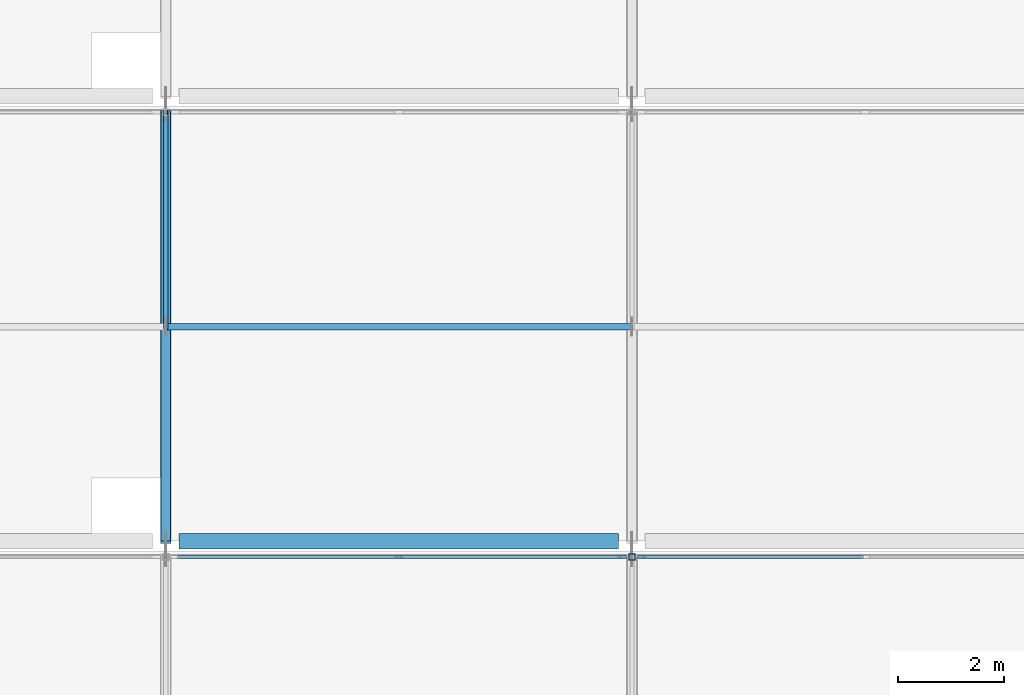
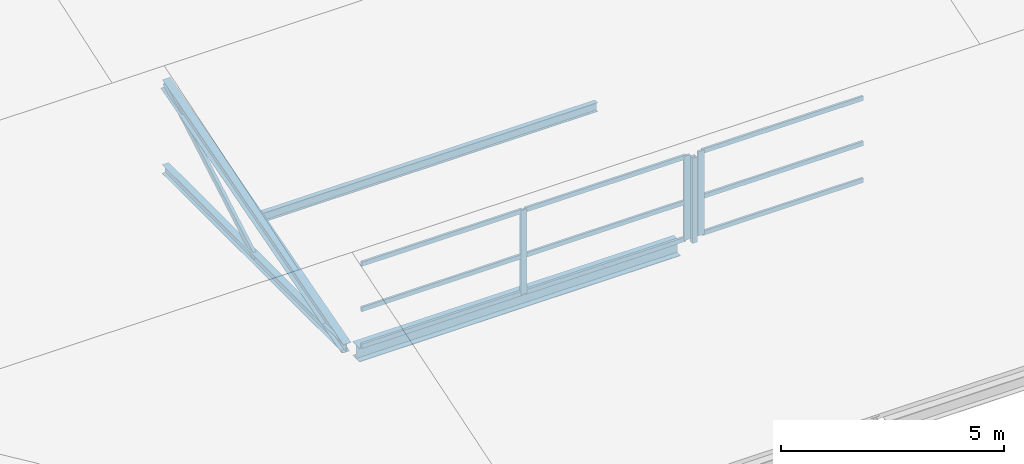
# One storey, part 6 of 40: 17 members, 1 beam, 2 elements without a shape of their own.
"""IFC4 building model written with IfcOpenShell, lengths in metres."""

import ifcopenshell
import ifcopenshell.guid

model = None  # the IFC model being written
_history = None  # IfcOwnerHistory: only IFC2X3 demands one
_inside = {}  # id of a spatial element -> (the spatial element, [elements in it])
_under = {}  # id of a project, library or spatial element -> (it, [spatial elements below it])
_declared = {}  # id of a project -> (the project, [libraries it declares])
_typed = {}  # id of a type object -> (the type object, [elements of that type])
_made_of = {}  # id of a material, layer set ... -> (it, [elements and type objects made of it])


def new_model(schema):
    """Start an empty IFC model of exactly this schema.

    Asked for "IFC4X3", IfcOpenShell would pick the latest addendum, in which some entities
    have other attributes; the version numbers below select the first issue.
    IFC2X3 requires an IfcOwnerHistory on every rooted entity: one is made here for all.
    """
    global model, _history
    if schema == "IFC4X3":
        model = ifcopenshell.file(schema_version=(4, 3, 0, 0))
    else:
        model = ifcopenshell.file(schema=schema)
    _inside.clear()
    _under.clear()
    _declared.clear()
    _typed.clear()
    _made_of.clear()
    _history = None
    if model.schema == "IFC2X3":
        org = make("IfcOrganization", Name="unknown")
        user = make(
            "IfcPersonAndOrganization",
            ThePerson=make("IfcPerson", FamilyName="unknown"),
            TheOrganization=org,
        )
        app = make(
            "IfcApplication",
            ApplicationDeveloper=org,
            Version="unknown",
            ApplicationFullName="unknown",
            ApplicationIdentifier="unknown",
        )
        _history = make(
            "IfcOwnerHistory",
            OwningUser=user,
            OwningApplication=app,
            ChangeAction="ADDED",
            CreationDate=0,
        )
    return model


def make(cls, **values):
    """One entity of the class cls with the attributes given. An attribute that is None is left unset."""
    return model.create_entity(
        cls, **{name: value for name, value in values.items() if value is not None}
    )


def rooted(cls, **values):
    """An entity with a GlobalId (a new one), such as an element, a storey or a relation."""
    return make(cls, GlobalId=ifcopenshell.guid.new(), OwnerHistory=_history, **values)


def si_unit(unit_type, name, prefix=None):
    """IfcSIUnit, for example si_unit("LENGTHUNIT", "METRE", prefix="MILLI")."""
    return make("IfcSIUnit", UnitType=unit_type, Prefix=prefix, Name=name)


def assignment(units):
    """IfcUnitAssignment: the units of a project."""
    return None if units is None else make("IfcUnitAssignment", Units=units)


def point(xyz):
    """IfcCartesianPoint."""
    return None if xyz is None else make("IfcCartesianPoint", Coordinates=xyz)


def direction(xyz):
    """IfcDirection."""
    return None if xyz is None else make("IfcDirection", DirectionRatios=xyz)


def frame(location, z_axis=None, x_axis=None):
    """IfcAxis2Placement3D, a coordinate frame: its origin and axes. An axis left out is left unset."""
    return make(
        "IfcAxis2Placement3D",
        Location=point(location),
        Axis=direction(z_axis),
        RefDirection=direction(x_axis),
    )


def frame_2d(location, x_axis=None):
    """IfcAxis2Placement2D, a coordinate frame in the plane: its origin and x axis."""
    return make(
        "IfcAxis2Placement2D", Location=point(location), RefDirection=direction(x_axis)
    )


def origin():
    """The frame at (0, 0, 0) with its axes left unset."""
    return frame((0.0, 0.0, 0.0))


def origin_2d():
    """The frame at (0, 0) in the plane with its x axis left unset."""
    return frame_2d((0.0, 0.0))


def place(relative_to, where):
    """IfcLocalPlacement: puts the frame where relative to a parent placement (None: the world)."""
    return make(
        "IfcLocalPlacement", PlacementRelTo=relative_to, RelativePlacement=where
    )


def context(
    kind, dimensions, precision=None, world=None, true_north=None, identifier=None
):
    """IfcGeometricRepresentationContext, for example the 3D "Model" context."""
    return make(
        "IfcGeometricRepresentationContext",
        ContextIdentifier=identifier,
        ContextType=kind,
        CoordinateSpaceDimension=dimensions,
        Precision=precision,
        WorldCoordinateSystem=world,
        TrueNorth=true_north,
    )


def subcontext(parent, identifier, kind, view, scale=None):
    """IfcGeometricRepresentationSubContext, for example "Body" below "Model"."""
    return make(
        "IfcGeometricRepresentationSubContext",
        ContextIdentifier=identifier,
        ContextType=kind,
        ParentContext=parent,
        TargetScale=scale,
        TargetView=view,
    )


def project(units=None, contexts=None):
    """IfcProject with its units and contexts."""
    return rooted(
        "IfcProject",
        Name="project",
        RepresentationContexts=contexts,
        UnitsInContext=assignment(units),
    )


def spatial(cls, under=None, at=None, **own):
    """A site, building, storey or space (cls), placed at a placement, below another one or the project."""
    s = rooted(cls, ObjectPlacement=at, **own)
    if under is not None:
        _under.setdefault(under.id(), (under, []))[1].append(s)
    return s


def profile(cls, at=None, kind="AREA", **sizes):
    """A parametric profile (cls). Its sizes go by their IFC names, for example OverallWidth=200.0."""
    return make(cls, ProfileType=kind, Position=at, **sizes)


def rectangle(**sizes):
    """IfcRectangleProfileDef."""
    return profile("IfcRectangleProfileDef", **sizes)


def hollow_rectangle(**sizes):
    """IfcRectangleHollowProfileDef."""
    return profile("IfcRectangleHollowProfileDef", **sizes)


def i_section(**sizes):
    """IfcIShapeProfileDef."""
    return profile("IfcIShapeProfileDef", **sizes)


def extrude(swept, where, along, depth):
    """IfcExtrudedAreaSolid: the profile swept, set in the frame where, extruded along a direction by depth."""
    return make(
        "IfcExtrudedAreaSolid",
        SweptArea=swept,
        Position=where,
        ExtrudedDirection=direction(along),
        Depth=depth,
    )


def shape(context_of_items, identifier, shape_type, items):
    """IfcShapeRepresentation: the items that make up one representation, for example the "Body"."""
    return make(
        "IfcShapeRepresentation",
        ContextOfItems=context_of_items,
        RepresentationIdentifier=identifier,
        RepresentationType=shape_type,
        Items=items,
    )


def material(Name=None, Category=None):
    """IfcMaterial."""
    return make("IfcMaterial", Name=Name, Category=Category)


def material_profile(
    of_material, cross_section, Name=None, Category=None, Priority=None
):
    """IfcMaterialProfile: a cross section and its material."""
    return make(
        "IfcMaterialProfile",
        Name=Name,
        Material=of_material,
        Profile=cross_section,
        Priority=Priority,
        Category=Category,
    )


def profile_set(profiles, Name=None, composite=None):
    """IfcMaterialProfileSet."""
    return make(
        "IfcMaterialProfileSet",
        Name=Name,
        MaterialProfiles=profiles,
        CompositeProfile=composite,
    )


def made_of(thing, what):
    """Note that an element or type object is made of a material, layer set ...; save() writes the relation."""
    if what is not None:
        _made_of.setdefault(what.id(), (what, []))[1].append(thing)
    return thing


def type_object(cls, material=None, **own):
    """A type object (cls), such as IfcWallType, which elements share."""
    return made_of(rooted(cls, **own), material)


def element(
    cls,
    number,
    at=None,
    inside=None,
    cuts=None,
    type_object=None,
    material=None,
    context=None,
    identifier="Body",
    shape_type=None,
    held_by="IfcProductDefinitionShape",
    body=None,
    shapes=None,
    **own,
):
    """One element of the class cls, such as IfcWall. Its Tag is "e" and its number.

    at: its placement. inside: the storey or other place that contains it. cuts: it is an
    opening in that element (IfcRelVoidsElement). A single representation is given by context,
    identifier, shape_type and body (its items); several are given by shapes. held_by: the class
    of the entity that holds the representations. save() writes the other relations.
    """
    e = rooted(cls, Tag="e%d" % number, ObjectPlacement=at, **own)
    if body is not None:
        shapes = [shape(context, identifier, shape_type, body)]
    if shapes is not None:
        e.Representation = make(held_by, Representations=shapes)
    if inside is not None:
        _inside.setdefault(inside.id(), (inside, []))[1].append(e)
    if cuts is not None:
        rooted(
            "IfcRelVoidsElement", RelatingBuildingElement=cuts, RelatedOpeningElement=e
        )
    if type_object is not None:
        _typed.setdefault(type_object.id(), (type_object, []))[1].append(e)
    return made_of(e, material)


def aggregate(whole, parts):
    """IfcRelAggregates: a whole, such as a stair, and the parts it consists of."""
    return rooted("IfcRelAggregates", RelatingObject=whole, RelatedObjects=parts)


def save(model, path):
    """Write the relations noted so far, then the file.

    IfcRelAggregates (storeys below a building ...), IfcRelContainedInSpatialStructure (elements
    in a storey), IfcRelDefinesByType, IfcRelAssociatesMaterial and IfcRelDeclares: one each for
    every whole, place, type object, material and project.
    """
    for whole, parts in _under.values():
        aggregate(whole, parts)
    for where, things in _inside.values():
        rooted(
            "IfcRelContainedInSpatialStructure",
            RelatedElements=things,
            RelatingStructure=where,
        )
    for kind, things in _typed.values():
        rooted("IfcRelDefinesByType", RelatedObjects=things, RelatingType=kind)
    for what, things in _made_of.values():
        rooted("IfcRelAssociatesMaterial", RelatedObjects=things, RelatingMaterial=what)
    for by, libraries in _declared.values():
        rooted("IfcRelDeclares", RelatingContext=by, RelatedDefinitions=libraries)
    model.write(path)


model = new_model("IFC4")

# Units and contexts
model_context = context("Model", 3, precision=1e-05, world=origin(), true_north=direction((0.0, 1.0)))
body_context = subcontext(model_context, "Body", "Model", "MODEL_VIEW")
ifc_project = project(units=[si_unit("LENGTHUNIT", "METRE"), si_unit("AREAUNIT", "SQUARE_METRE"), si_unit("VOLUMEUNIT", "CUBIC_METRE"), si_unit("PLANEANGLEUNIT", "RADIAN"), si_unit("MASSUNIT", "GRAM", prefix="KILO")], contexts=[model_context])

# Site, building, storey
site_placement = place(None, origin())
site = spatial("IfcSite", under=ifc_project, at=site_placement, CompositionType="ELEMENT")
building_placement = place(site_placement, origin())
building = spatial("IfcBuilding", under=site, at=building_placement, Name="Brinegate Botanical Conservatory", CompositionType="ELEMENT")
storey_placement = place(building_placement, frame((0.0, 0.0, 19.199951171875)))
storey = spatial("IfcBuildingStorey", under=building, at=storey_placement, Name="L05", CompositionType="ELEMENT", Elevation=19.199951171875)

# Beam
ifc_material_1 = material(Name="Structural steel Q355B / S355", Category="steel")
ifc_material_profile_1 = material_profile(ifc_material_1, i_section(OverallWidth=0.300048828125, OverallDepth=0.389892578125, WebThickness=0.010009765625, FlangeThickness=0.01611328125, at=origin_2d()), Name="HM 390x300x10x16")
ifc_profile_set_1 = profile_set([ifc_material_profile_1], Name="Structural steel Q355B / S355")
beam_type = type_object("IfcBeamType", Name="Beam_BM-S5", PredefinedType="BEAM", material=ifc_profile_set_1)
beam_placement = place(storey_placement, frame((68.64990234375, 95.199951171875, -0.179931640625), z_axis=(1.0, 0.0, 0.0), x_axis=(0.0, 1.0, 0.0)))
element("IfcBeam", 1, at=beam_placement, inside=storey, type_object=beam_type, Name="Sawtooth valley girder BM-S5 B2.3", PredefinedType="BEAM", context=body_context, shape_type="SweptSolid", body=[
    extrude(i_section(OverallWidth=0.300048828125, OverallDepth=0.389892578125, WebThickness=0.010009765625, FlangeThickness=0.01611328125, at=origin_2d()), origin(), (0.0, 0.0, 1.0), 8.300048828125),
])

# Curtain wall, members
ifc_material_2 = material(Name="Thermally broken anodised aluminium AW-6063-T6", Category="aluminium")
curtain_wall_type = type_object("IfcCurtainWallType", Name="CW_CW-SAW", PredefinedType="USERDEFINED", material=ifc_material_2)
curtain_wall_1_placement = place(storey_placement, origin())
curtain_wall_1 = element("IfcCurtainWall", 2, at=curtain_wall_1_placement, inside=storey, type_object=curtain_wall_type, Name="Sawtooth north-light clerestory B1.3", ObjectType="FACTORY CURTAIN WALL", PredefinedType="USERDEFINED")
ifc_material_profile_2 = material_profile(ifc_material_2, rectangle(XDim=0.06005859375, YDim=0.159912109375, at=origin_2d()), Name="ALUM MULLION 60x160")
ifc_profile_set_2 = profile_set([ifc_material_profile_2], Name="Thermally broken anodised aluminium AW-6063-T6")
member_type_1 = type_object("IfcMemberType", Name="Member_ML-01", PredefinedType="MULLION", material=ifc_profile_set_2)
member_1_placement = place(storey_placement, frame((72.800048828125, 94.89990234375, 0.150146484375), z_axis=(0.0, 0.0, 1.0), x_axis=(0.0, 1.0, 0.0)))
member_1 = element("IfcMember", 3, at=member_1_placement, type_object=member_type_1, Name="CW-SAW mullion 2", PredefinedType="MULLION", context=body_context, shape_type="SweptSolid", body=[
    extrude(rectangle(XDim=0.06005859375, YDim=0.159912109375, at=origin_2d()), origin(), (0.0, 0.0, 1.0), 2.2998046875),
])
member_2_placement = place(storey_placement, frame((77.02001953125, 94.89990234375, 0.150146484375), z_axis=(0.0, 0.0, 1.0), x_axis=(0.0, 1.0, 0.0)))
member_2 = element("IfcMember", 4, at=member_2_placement, type_object=member_type_1, Name="CW-SAW mullion 3", PredefinedType="MULLION", context=body_context, shape_type="SweptSolid", body=[
    extrude(rectangle(XDim=0.06005859375, YDim=0.159912109375, at=origin_2d()), origin(), (0.0, 0.0, 1.0), 2.2998046875),
])

# Curtain wall, member
curtain_wall_2_placement = place(storey_placement, origin())
curtain_wall_2 = element("IfcCurtainWall", 5, at=curtain_wall_2_placement, inside=storey, type_object=curtain_wall_type, Name="Sawtooth north-light clerestory B1.4", ObjectType="FACTORY CURTAIN WALL", PredefinedType="USERDEFINED")
member_3_placement = place(storey_placement, frame((77.3798828125, 94.89990234375, 0.150146484375), z_axis=(0.0, 0.0, 1.0), x_axis=(0.0, 1.0, 0.0)))
member_3 = element("IfcMember", 6, at=member_3_placement, type_object=member_type_1, Name="CW-SAW mullion 1", PredefinedType="MULLION", context=body_context, shape_type="SweptSolid", body=[
    extrude(rectangle(XDim=0.06005859375, YDim=0.159912109375, at=origin_2d()), origin(), (0.0, 0.0, 1.0), 2.2998046875),
])

# Members
ifc_material_profile_3 = material_profile(ifc_material_1, hollow_rectangle(XDim=0.080078125, YDim=0.159912109375, WallThickness=0.006103515625, at=origin_2d()), Name="RHS 160x80x6")
ifc_profile_set_3 = profile_set([ifc_material_profile_3], Name="Structural steel Q355B / S355")
member_type_2 = type_object("IfcMemberType", Name="Member_SB-01", PredefinedType="BRACE", material=ifc_profile_set_3)
member_4_placement = place(storey_placement, frame((68.39990234375, 99.25, 0.02001953125), z_axis=(0.0, 0.866786044896, 0.49868021053), x_axis=(-1.0, 0.0, 0.0)))
element("IfcMember", 7, at=member_4_placement, inside=storey, type_object=member_type_2, Name="Sawtooth web diagonal SB-01 B2.T3", PredefinedType="BRACE", context=body_context, shape_type="SweptSolid", body=[
    extrude(hollow_rectangle(XDim=0.080078125, YDim=0.159912109375, WallThickness=0.006103515625, at=origin_2d()), origin(), (0.0, 0.0, 1.0), 4.672607421875),
])
ifc_material_profile_4 = material_profile(ifc_material_1, i_section(OverallWidth=0.199951171875, OverallDepth=0.2939453125, WebThickness=0.008056640625, FlangeThickness=0.011962890625, at=origin_2d()), Name="HM 294x200x8x12")
ifc_profile_set_4 = profile_set([ifc_material_profile_4], Name="Structural steel Q355B / S355")
member_type_3 = type_object("IfcMemberType", Name="Member_SC-01", PredefinedType="CHORD", material=ifc_profile_set_4)
member_5_placement = place(storey_placement, frame((68.39990234375, 95.199951171875, 0.02001953125), z_axis=(0.0, 0.961028334039, 0.276449889085), x_axis=(-1.0, 0.0, 0.0)))
element("IfcMember", 8, at=member_5_placement, inside=storey, type_object=member_type_3, Name="Sawtooth rafter chord SC-01 B2.T3", PredefinedType="CHORD", context=body_context, shape_type="SweptSolid", body=[
    extrude(i_section(OverallWidth=0.199951171875, OverallDepth=0.2939453125, WebThickness=0.008056640625, FlangeThickness=0.011962890625, at=origin_2d()), origin(), (0.0, 0.0, 1.0), 8.428466796875),
])
ifc_material_profile_5 = material_profile(ifc_material_1, i_section(OverallWidth=0.175048828125, OverallDepth=0.243896484375, WebThickness=0.007080078125, FlangeThickness=0.010986328125, at=origin_2d()), Name="HM 244x175x7x11")
ifc_profile_set_5 = profile_set([ifc_material_profile_5], Name="Structural steel Q355B / S355")
member_type_4 = type_object("IfcMemberType", Name="Member_SC-02", PredefinedType="CHORD", material=ifc_profile_set_5)
member_6_placement = place(storey_placement, frame((68.39990234375, 95.199951171875, 0.02001953125), z_axis=(0.0, 1.0, 0.0), x_axis=(-1.0, 0.0, 0.0)))
element("IfcMember", 9, at=member_6_placement, inside=storey, type_object=member_type_4, Name="Sawtooth bottom tie SC-02 B2.T3", PredefinedType="CHORD", context=body_context, shape_type="SweptSolid", body=[
    extrude(i_section(OverallWidth=0.175048828125, OverallDepth=0.243896484375, WebThickness=0.007080078125, FlangeThickness=0.010986328125, at=origin_2d()), origin(), (0.0, 0.0, 1.0), 8.10009765625),
])
ifc_material_profile_6 = material_profile(ifc_material_1, i_section(OverallWidth=0.125, OverallDepth=0.25, WebThickness=0.006103515625, FlangeThickness=0.009033203125, at=origin_2d()), Name="HN 250x125x6x9")
ifc_profile_set_6 = profile_set([ifc_material_profile_6], Name="Structural steel Q355B / S355")
member_type_5 = type_object("IfcMemberType", Name="Member_SPU-01", PredefinedType="PURLIN", material=ifc_profile_set_6)
member_7_placement = place(storey_placement, frame((68.39990234375, 99.25, 1.094970703125), z_axis=(1.0, 0.0, 0.0), x_axis=(0.0, 1.0, 0.0)))
element("IfcMember", 10, at=member_7_placement, inside=storey, type_object=member_type_5, Name="Sawtooth roof purlin SPU-01 B2.3", PredefinedType="PURLIN", context=body_context, shape_type="SweptSolid", body=[
    extrude(i_section(OverallWidth=0.125, OverallDepth=0.25, WebThickness=0.006103515625, FlangeThickness=0.009033203125, at=origin_2d()), origin(), (0.0, 0.0, 1.0), 8.800048828125),
])
ifc_material_profile_7 = material_profile(ifc_material_1, hollow_rectangle(XDim=0.1201171875, YDim=0.1201171875, WallThickness=0.006103515625, at=origin_2d()), Name="SHS 120x120x6")
ifc_profile_set_7 = profile_set([ifc_material_profile_7], Name="Structural steel Q355B / S355")
member_type_6 = type_object("IfcMemberType", Name="Member_SS-01", PredefinedType="STRUT", material=ifc_profile_set_7)
member_8_placement = place(storey_placement, frame((77.199951171875, 94.89990234375, 0.02001953125), z_axis=(0.0, 0.0, 1.0), x_axis=(1.0, 0.0, 0.0)))
element("IfcMember", 11, at=member_8_placement, inside=storey, type_object=member_type_6, Name="Sawtooth north clerestory post SS-01 B1.T4", PredefinedType="STRUT", context=body_context, shape_type="SweptSolid", body=[
    extrude(hollow_rectangle(XDim=0.1201171875, YDim=0.1201171875, WallThickness=0.006103515625, at=origin_2d()), origin(), (0.0, 0.0, 1.0), 2.330078125),
])

# Member
ifc_material_profile_8 = material_profile(ifc_material_2, rectangle(XDim=0.06005859375, YDim=0.1201171875, at=origin_2d()), Name="ALUM TRANSOM 60x120")
ifc_profile_set_8 = profile_set([ifc_material_profile_8], Name="Thermally broken anodised aluminium AW-6063-T6")
member_type_7 = type_object("IfcMemberType", Name="Member_TR-01", PredefinedType="USERDEFINED", material=ifc_profile_set_8)
member_9_placement = place(storey_placement, frame((68.610107421875, 94.89990234375, 0.179931640625), z_axis=(1.0, 0.0, 0.0), x_axis=(0.0, 1.0, 0.0)))
member_9 = element("IfcMember", 12, at=member_9_placement, type_object=member_type_7, Name="CW-SAW transom 1.1", ObjectType="TRANSOM", PredefinedType="USERDEFINED", context=body_context, shape_type="SweptSolid", body=[
    extrude(rectangle(XDim=0.06005859375, YDim=0.1201171875, at=origin_2d()), origin(), (0.0, 0.0, 1.0), 4.159912109375),
])

member_10_placement = place(storey_placement, frame((68.610107421875, 94.89990234375, 1.18505859375), z_axis=(1.0, 0.0, 0.0), x_axis=(0.0, 1.0, 0.0)))
member_10 = element("IfcMember", 13, at=member_10_placement, type_object=member_type_7, Name="CW-SAW transom 1.2", ObjectType="TRANSOM", PredefinedType="USERDEFINED", context=body_context, shape_type="SweptSolid", body=[
    extrude(rectangle(XDim=0.06005859375, YDim=0.1201171875, at=origin_2d()), origin(), (0.0, 0.0, 1.0), 4.159912109375),
])

member_11_placement = place(storey_placement, frame((68.610107421875, 94.89990234375, 2.420166015625), z_axis=(1.0, 0.0, 0.0), x_axis=(0.0, 1.0, 0.0)))
member_11 = element("IfcMember", 14, at=member_11_placement, type_object=member_type_7, Name="CW-SAW transom 1.3", ObjectType="TRANSOM", PredefinedType="USERDEFINED", context=body_context, shape_type="SweptSolid", body=[
    extrude(rectangle(XDim=0.06005859375, YDim=0.1201171875, at=origin_2d()), origin(), (0.0, 0.0, 1.0), 4.159912109375),
])

member_12_placement = place(storey_placement, frame((72.830078125, 94.89990234375, 0.179931640625), z_axis=(1.0, 0.0, 0.0), x_axis=(0.0, 1.0, 0.0)))
member_12 = element("IfcMember", 15, at=member_12_placement, type_object=member_type_7, Name="CW-SAW transom 2.1", ObjectType="TRANSOM", PredefinedType="USERDEFINED", context=body_context, shape_type="SweptSolid", body=[
    extrude(rectangle(XDim=0.06005859375, YDim=0.1201171875, at=origin_2d()), origin(), (0.0, 0.0, 1.0), 4.159912109375),
])

member_13_placement = place(storey_placement, frame((72.830078125, 94.89990234375, 1.18505859375), z_axis=(1.0, 0.0, 0.0), x_axis=(0.0, 1.0, 0.0)))
member_13 = element("IfcMember", 16, at=member_13_placement, type_object=member_type_7, Name="CW-SAW transom 2.2", ObjectType="TRANSOM", PredefinedType="USERDEFINED", context=body_context, shape_type="SweptSolid", body=[
    extrude(rectangle(XDim=0.06005859375, YDim=0.1201171875, at=origin_2d()), origin(), (0.0, 0.0, 1.0), 4.159912109375),
])

member_14_placement = place(storey_placement, frame((72.830078125, 94.89990234375, 2.420166015625), z_axis=(1.0, 0.0, 0.0), x_axis=(0.0, 1.0, 0.0)))
member_14 = element("IfcMember", 17, at=member_14_placement, type_object=member_type_7, Name="CW-SAW transom 2.3", ObjectType="TRANSOM", PredefinedType="USERDEFINED", context=body_context, shape_type="SweptSolid", body=[
    extrude(rectangle(XDim=0.06005859375, YDim=0.1201171875, at=origin_2d()), origin(), (0.0, 0.0, 1.0), 4.159912109375),
])

aggregate(curtain_wall_1, [member_1, member_2, member_9, member_10, member_11, member_12, member_13, member_14])

member_15_placement = place(storey_placement, frame((77.409912109375, 94.89990234375, 0.179931640625), z_axis=(1.0, 0.0, 0.0), x_axis=(0.0, 1.0, 0.0)))
member_15 = element("IfcMember", 18, at=member_15_placement, type_object=member_type_7, Name="CW-SAW transom 1.1", ObjectType="TRANSOM", PredefinedType="USERDEFINED", context=body_context, shape_type="SweptSolid", body=[
    extrude(rectangle(XDim=0.06005859375, YDim=0.1201171875, at=origin_2d()), origin(), (0.0, 0.0, 1.0), 4.16015625),
])

member_16_placement = place(storey_placement, frame((77.409912109375, 94.89990234375, 1.18505859375), z_axis=(1.0, 0.0, 0.0), x_axis=(0.0, 1.0, 0.0)))
member_16 = element("IfcMember", 19, at=member_16_placement, type_object=member_type_7, Name="CW-SAW transom 1.2", ObjectType="TRANSOM", PredefinedType="USERDEFINED", context=body_context, shape_type="SweptSolid", body=[
    extrude(rectangle(XDim=0.06005859375, YDim=0.1201171875, at=origin_2d()), origin(), (0.0, 0.0, 1.0), 4.16015625),
])

member_17_placement = place(storey_placement, frame((77.409912109375, 94.89990234375, 2.420166015625), z_axis=(1.0, 0.0, 0.0), x_axis=(0.0, 1.0, 0.0)))
member_17 = element("IfcMember", 20, at=member_17_placement, type_object=member_type_7, Name="CW-SAW transom 1.3", ObjectType="TRANSOM", PredefinedType="USERDEFINED", context=body_context, shape_type="SweptSolid", body=[
    extrude(rectangle(XDim=0.06005859375, YDim=0.1201171875, at=origin_2d()), origin(), (0.0, 0.0, 1.0), 4.16015625),
])

aggregate(curtain_wall_2, [member_3, member_15, member_16, member_17])

save(model, "model.ifc")
